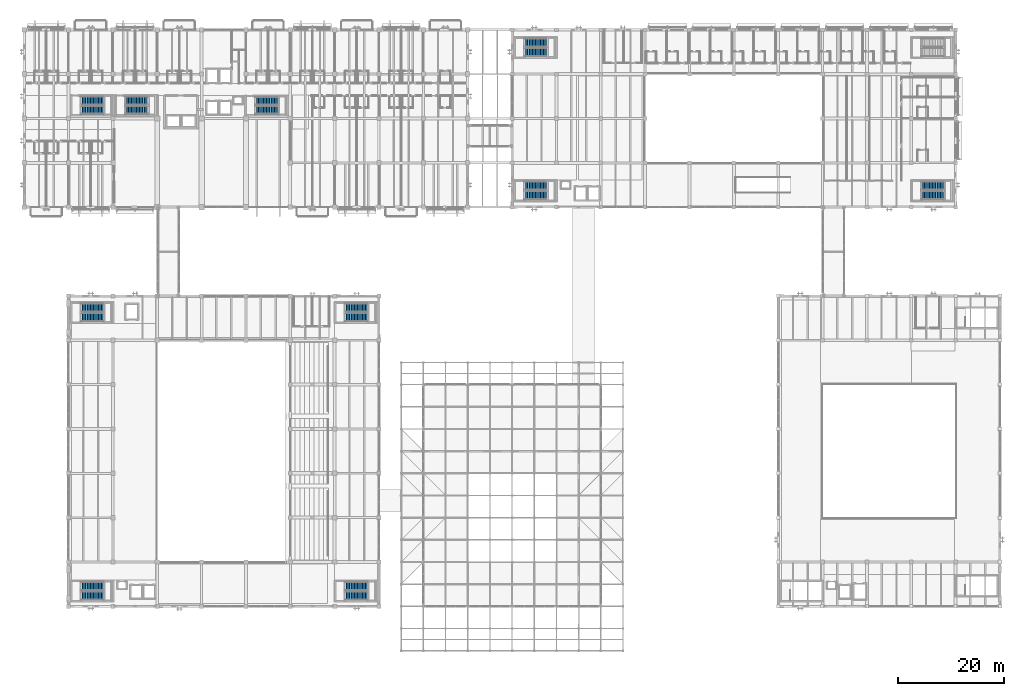
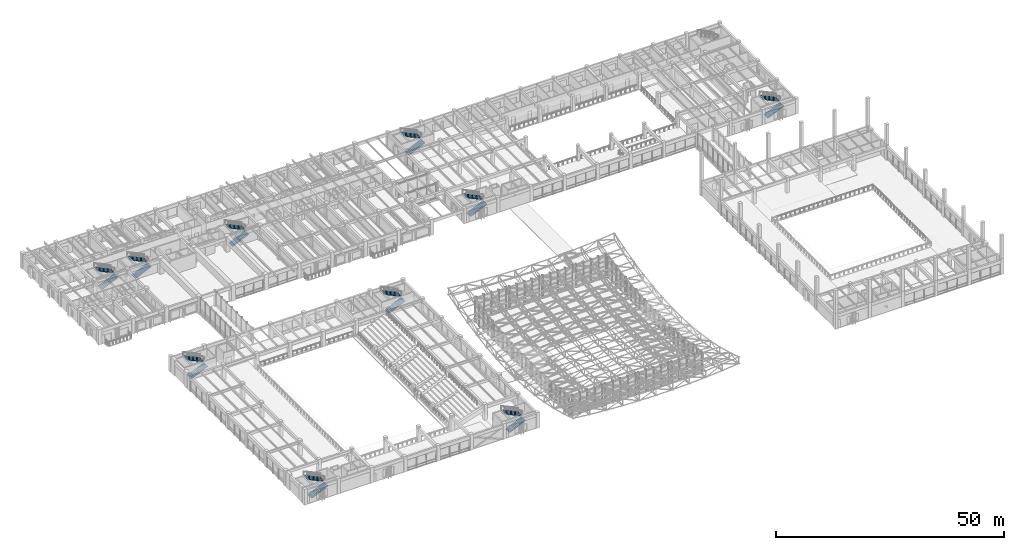
# One storey, part 99 of 132: 20 stair flights, 10 elements without a shape of their own.
"""IFC4 building model written with IfcOpenShell, lengths in metres."""

from ifc_helpers import new_model, si_unit, direction, frame, origin, place, context, subcontext, project, spatial, polyline, outline, extrude, material, type_object, element, aggregate, save


model = new_model("IFC4")

# Units and contexts
model_context = context("Model", 3, precision=1e-05, world=origin(), true_north=direction((0.0, 1.0)))
body_context = subcontext(model_context, "Body", "Model", "MODEL_VIEW")
ifc_project = project(units=[si_unit("LENGTHUNIT", "METRE"), si_unit("AREAUNIT", "SQUARE_METRE"), si_unit("VOLUMEUNIT", "CUBIC_METRE"), si_unit("PLANEANGLEUNIT", "RADIAN"), si_unit("MASSUNIT", "GRAM", prefix="KILO")], contexts=[model_context])

# Site, building, storey
site_placement = place(None, origin())
site = spatial("IfcSite", under=ifc_project, at=site_placement, CompositionType="ELEMENT")
building_placement = place(site_placement, origin())
building = spatial("IfcBuilding", under=site, at=building_placement, Name="Cumbredor Promenade Congress Hotel", CompositionType="ELEMENT")
storey_placement = place(building_placement, frame((0.0, 0.0, 7.56005859375)))
storey = spatial("IfcBuildingStorey", under=building, at=storey_placement, Name="L02", CompositionType="ELEMENT", Elevation=7.56005859375)

# Stair, stair flights
ifc_material = material(Name="Concrete C40/50", Category="concrete")
stair_type_1 = type_object("IfcStairType", Name="Protected Dog-Leg Exit Stair ST-T1 1550mm", PredefinedType="HALF_TURN_STAIR", material=ifc_material)
stair_1_placement = place(storey_placement, origin())
stair_1 = element("IfcStair", 1, at=stair_1_placement, inside=storey, type_object=stair_type_1, Name="L02 Protected Exit Stair ST-03", PredefinedType="HALF_TURN_STAIR")
stair_flight_type_1 = type_object("IfcStairFlightType", Name="Concrete Stair Flight SFL-T1 1550mm", PredefinedType="STRAIGHT", material=ifc_material)
stair_flight_1_placement = place(storey_placement, frame((43.800048828125, 102.39501953125, 0.0), z_axis=(0.0, 0.0, 1.0), x_axis=(1.0, 0.0, 0.0)))
stair_flight_1 = element("IfcStairFlight", 2, at=stair_flight_1_placement, type_object=stair_flight_type_1, Name="ST-03 flight 1", NumberOfRisers=15, NumberOfTreads=14, PredefinedType="STRAIGHT", RiserHeight=0.14, TreadLength=0.3, context=body_context, shape_type="SweptSolid", body=[
    extrude(outline(polyline([(0.0, 0.0), (0.0, 0.139892578125), (0.300048828125, 0.139892578125), (0.300048828125, 0.280029296875), (0.60009765625, 0.280029296875), (0.60009765625, 0.419921875), (0.89990234375, 0.419921875), (0.89990234375, 0.56005859375), (1.199951171875, 0.56005859375), (1.199951171875, 0.699951171875), (1.5, 0.699951171875), (1.5, 0.840087890625), (1.800048828125, 0.840087890625), (1.800048828125, 0.97998046875), (2.10009765625, 0.97998046875), (2.10009765625, 1.1201171875), (2.39990234375, 1.1201171875), (2.39990234375, 1.260009765625), (2.699951171875, 1.260009765625), (2.699951171875, 1.39990234375), (3.0, 1.39990234375), (3.0, 1.5400390625), (3.300048828125, 1.5400390625), (3.300048828125, 1.679931640625), (3.60009765625, 1.679931640625), (3.60009765625, 1.820068359375), (3.89990234375, 1.820068359375), (3.89990234375, 1.9599609375), (4.199951171875, 1.9599609375), (4.199951171875, 2.10009765625), (4.199951171875, 1.761474609375), (0.425537109375, 0.0), (0.0, 0.0)])), frame((0.0, 0.77490234375, 0.0), z_axis=(0.0, -1.0, 0.0), x_axis=(1.0, 0.0, 0.0)), (0.0, 0.0, 1.0), 1.550048828125),
])
stair_flight_2_placement = place(storey_placement, frame((48.0, 104.094970703125, 2.099853515625), z_axis=(0.0, 0.0, 1.0), x_axis=(-1.0, 0.0, 0.0)))
stair_flight_2 = element("IfcStairFlight", 3, at=stair_flight_2_placement, type_object=stair_flight_type_1, Name="ST-03 flight 2", NumberOfRisers=15, NumberOfTreads=14, PredefinedType="STRAIGHT", RiserHeight=0.14, TreadLength=0.3, context=body_context, shape_type="SweptSolid", body=[
    extrude(outline(polyline([(0.0, 0.0), (0.0, 0.139892578125), (0.300048828125, 0.139892578125), (0.300048828125, 0.280029296875), (0.60009765625, 0.280029296875), (0.60009765625, 0.419921875), (0.89990234375, 0.419921875), (0.89990234375, 0.56005859375), (1.199951171875, 0.56005859375), (1.199951171875, 0.699951171875), (1.5, 0.699951171875), (1.5, 0.840087890625), (1.800048828125, 0.840087890625), (1.800048828125, 0.97998046875), (2.10009765625, 0.97998046875), (2.10009765625, 1.1201171875), (2.39990234375, 1.1201171875), (2.39990234375, 1.260009765625), (2.699951171875, 1.260009765625), (2.699951171875, 1.39990234375), (3.0, 1.39990234375), (3.0, 1.5400390625), (3.300048828125, 1.5400390625), (3.300048828125, 1.679931640625), (3.60009765625, 1.679931640625), (3.60009765625, 1.820068359375), (3.89990234375, 1.820068359375), (3.89990234375, 1.9599609375), (4.199951171875, 1.9599609375), (4.199951171875, 2.10009765625), (4.199951171875, 1.761474609375), (0.425537109375, 0.0), (0.0, 0.0)])), frame((0.0, 0.77490234375, 0.0), z_axis=(0.0, -1.0, 0.0), x_axis=(1.0, 0.0, 0.0)), (0.0, 0.0, 1.0), 1.550048828125),
])
aggregate(stair_1, [stair_flight_1, stair_flight_2])

stair_type_2 = type_object("IfcStairType", Name="Protected Dog-Leg Exit Stair ST-T2 1600mm", PredefinedType="HALF_TURN_STAIR", material=ifc_material)
stair_2_placement = place(storey_placement, origin())
stair_2 = element("IfcStair", 4, at=stair_2_placement, inside=storey, type_object=stair_type_2, Name="L02 Protected Exit Stair ST-01", PredefinedType="HALF_TURN_STAIR")
stair_flight_type_2 = type_object("IfcStairFlightType", Name="Concrete Stair Flight SFL-T2 1600mm", PredefinedType="STRAIGHT", material=ifc_material)
stair_flight_3_placement = place(storey_placement, frame((10.75, 102.419921875, 0.0), z_axis=(0.0, 0.0, 1.0), x_axis=(1.0, 0.0, 0.0)))
stair_flight_3 = element("IfcStairFlight", 5, at=stair_flight_3_placement, type_object=stair_flight_type_2, Name="ST-01 flight 1", NumberOfRisers=15, NumberOfTreads=14, PredefinedType="STRAIGHT", RiserHeight=0.14, TreadLength=0.3, context=body_context, shape_type="SweptSolid", body=[
    extrude(outline(polyline([(0.0, 0.0), (0.0, 0.139892578125), (0.300048828125, 0.139892578125), (0.300048828125, 0.280029296875), (0.60009765625, 0.280029296875), (0.60009765625, 0.419921875), (0.89990234375, 0.419921875), (0.89990234375, 0.56005859375), (1.199951171875, 0.56005859375), (1.199951171875, 0.699951171875), (1.5, 0.699951171875), (1.5, 0.840087890625), (1.800048828125, 0.840087890625), (1.800048828125, 0.97998046875), (2.10009765625, 0.97998046875), (2.10009765625, 1.1201171875), (2.39990234375, 1.1201171875), (2.39990234375, 1.260009765625), (2.699951171875, 1.260009765625), (2.699951171875, 1.39990234375), (3.0, 1.39990234375), (3.0, 1.5400390625), (3.300048828125, 1.5400390625), (3.300048828125, 1.679931640625), (3.60009765625, 1.679931640625), (3.60009765625, 1.820068359375), (3.89990234375, 1.820068359375), (3.89990234375, 1.9599609375), (4.199951171875, 1.9599609375), (4.199951171875, 2.10009765625), (4.199951171875, 1.761474609375), (0.425537109375, 0.0), (0.0, 0.0)])), frame((0.0, 0.800048828125, 0.0), z_axis=(0.0, -1.0, 0.0), x_axis=(1.0, 0.0, 0.0)), (0.0, 0.0, 1.0), 1.60009765625),
])
stair_flight_4_placement = place(storey_placement, frame((14.949951171875, 104.169921875, 2.099853515625), z_axis=(0.0, 0.0, 1.0), x_axis=(-1.0, 0.0, 0.0)))
stair_flight_4 = element("IfcStairFlight", 6, at=stair_flight_4_placement, type_object=stair_flight_type_2, Name="ST-01 flight 2", NumberOfRisers=15, NumberOfTreads=14, PredefinedType="STRAIGHT", RiserHeight=0.14, TreadLength=0.3, context=body_context, shape_type="SweptSolid", body=[
    extrude(outline(polyline([(0.0, 0.0), (0.0, 0.139892578125), (0.300048828125, 0.139892578125), (0.300048828125, 0.280029296875), (0.60009765625, 0.280029296875), (0.60009765625, 0.419921875), (0.89990234375, 0.419921875), (0.89990234375, 0.56005859375), (1.199951171875, 0.56005859375), (1.199951171875, 0.699951171875), (1.5, 0.699951171875), (1.5, 0.840087890625), (1.800048828125, 0.840087890625), (1.800048828125, 0.97998046875), (2.10009765625, 0.97998046875), (2.10009765625, 1.1201171875), (2.39990234375, 1.1201171875), (2.39990234375, 1.260009765625), (2.699951171875, 1.260009765625), (2.699951171875, 1.39990234375), (3.0, 1.39990234375), (3.0, 1.5400390625), (3.300048828125, 1.5400390625), (3.300048828125, 1.679931640625), (3.60009765625, 1.679931640625), (3.60009765625, 1.820068359375), (3.89990234375, 1.820068359375), (3.89990234375, 1.9599609375), (4.199951171875, 1.9599609375), (4.199951171875, 2.10009765625), (4.199951171875, 1.761474609375), (0.425537109375, 0.0), (0.0, 0.0)])), frame((0.0, 0.800048828125, 0.0), z_axis=(0.0, -1.0, 0.0), x_axis=(1.0, 0.0, 0.0)), (0.0, 0.0, 1.0), 1.60009765625),
])
aggregate(stair_2, [stair_flight_3, stair_flight_4])

stair_3_placement = place(storey_placement, origin())
stair_3 = element("IfcStair", 7, at=stair_3_placement, inside=storey, type_object=stair_type_2, Name="L02 Protected Exit Stair ST-02", PredefinedType="HALF_TURN_STAIR")
stair_flight_5_placement = place(storey_placement, frame((19.14990234375, 102.419921875, 0.0), z_axis=(0.0, 0.0, 1.0), x_axis=(1.0, 0.0, 0.0)))
stair_flight_5 = element("IfcStairFlight", 8, at=stair_flight_5_placement, type_object=stair_flight_type_2, Name="ST-02 flight 1", NumberOfRisers=15, NumberOfTreads=14, PredefinedType="STRAIGHT", RiserHeight=0.14, TreadLength=0.3, context=body_context, shape_type="SweptSolid", body=[
    extrude(outline(polyline([(0.0, 0.0), (0.0, 0.139892578125), (0.300048828125, 0.139892578125), (0.300048828125, 0.280029296875), (0.60009765625, 0.280029296875), (0.60009765625, 0.419921875), (0.89990234375, 0.419921875), (0.89990234375, 0.56005859375), (1.199951171875, 0.56005859375), (1.199951171875, 0.699951171875), (1.5, 0.699951171875), (1.5, 0.840087890625), (1.800048828125, 0.840087890625), (1.800048828125, 0.97998046875), (2.10009765625, 0.97998046875), (2.10009765625, 1.1201171875), (2.39990234375, 1.1201171875), (2.39990234375, 1.260009765625), (2.699951171875, 1.260009765625), (2.699951171875, 1.39990234375), (3.0, 1.39990234375), (3.0, 1.5400390625), (3.300048828125, 1.5400390625), (3.300048828125, 1.679931640625), (3.60009765625, 1.679931640625), (3.60009765625, 1.820068359375), (3.89990234375, 1.820068359375), (3.89990234375, 1.9599609375), (4.199951171875, 1.9599609375), (4.199951171875, 2.10009765625), (4.199951171875, 1.761474609375), (0.425537109375, 0.0), (0.0, 0.0)])), frame((0.0, 0.800048828125, 0.0), z_axis=(0.0, -1.0, 0.0), x_axis=(1.0, 0.0, 0.0)), (0.0, 0.0, 1.0), 1.60009765625),
])
stair_flight_6_placement = place(storey_placement, frame((23.35009765625, 104.169921875, 2.099853515625), z_axis=(0.0, 0.0, 1.0), x_axis=(-1.0, 0.0, 0.0)))
stair_flight_6 = element("IfcStairFlight", 9, at=stair_flight_6_placement, type_object=stair_flight_type_2, Name="ST-02 flight 2", NumberOfRisers=15, NumberOfTreads=14, PredefinedType="STRAIGHT", RiserHeight=0.14, TreadLength=0.3, context=body_context, shape_type="SweptSolid", body=[
    extrude(outline(polyline([(0.0, 0.0), (0.0, 0.139892578125), (0.300048828125, 0.139892578125), (0.300048828125, 0.280029296875), (0.60009765625, 0.280029296875), (0.60009765625, 0.419921875), (0.89990234375, 0.419921875), (0.89990234375, 0.56005859375), (1.199951171875, 0.56005859375), (1.199951171875, 0.699951171875), (1.5, 0.699951171875), (1.5, 0.840087890625), (1.800048828125, 0.840087890625), (1.800048828125, 0.97998046875), (2.10009765625, 0.97998046875), (2.10009765625, 1.1201171875), (2.39990234375, 1.1201171875), (2.39990234375, 1.260009765625), (2.699951171875, 1.260009765625), (2.699951171875, 1.39990234375), (3.0, 1.39990234375), (3.0, 1.5400390625), (3.300048828125, 1.5400390625), (3.300048828125, 1.679931640625), (3.60009765625, 1.679931640625), (3.60009765625, 1.820068359375), (3.89990234375, 1.820068359375), (3.89990234375, 1.9599609375), (4.199951171875, 1.9599609375), (4.199951171875, 2.10009765625), (4.199951171875, 1.761474609375), (0.425537109375, 0.0), (0.0, 0.0)])), frame((0.0, 0.800048828125, 0.0), z_axis=(0.0, -1.0, 0.0), x_axis=(1.0, 0.0, 0.0)), (0.0, 0.0, 1.0), 1.60009765625),
])
aggregate(stair_3, [stair_flight_5, stair_flight_6])

stair_type_3 = type_object("IfcStairType", Name="Protected Dog-Leg Exit Stair ST-T3 1650mm", PredefinedType="HALF_TURN_STAIR", material=ifc_material)
stair_4_placement = place(storey_placement, origin())
stair_4 = element("IfcStair", 10, at=stair_4_placement, inside=storey, type_object=stair_type_3, Name="L02 Protected Exit Stair ST-04", PredefinedType="HALF_TURN_STAIR")
stair_flight_type_3 = type_object("IfcStairFlightType", Name="Concrete Stair Flight SFL-T3 1650mm", PredefinedType="STRAIGHT", material=ifc_material)
stair_flight_7_placement = place(storey_placement, frame((10.75, 10.425048828125, 0.0), z_axis=(0.0, 0.0, 1.0), x_axis=(1.0, 0.0, 0.0)))
stair_flight_7 = element("IfcStairFlight", 11, at=stair_flight_7_placement, type_object=stair_flight_type_3, Name="ST-04 flight 1", NumberOfRisers=15, NumberOfTreads=14, PredefinedType="STRAIGHT", RiserHeight=0.14, TreadLength=0.3, context=body_context, shape_type="SweptSolid", body=[
    extrude(outline(polyline([(0.0, 0.0), (0.0, 0.139892578125), (0.300048828125, 0.139892578125), (0.300048828125, 0.280029296875), (0.60009765625, 0.280029296875), (0.60009765625, 0.419921875), (0.89990234375, 0.419921875), (0.89990234375, 0.56005859375), (1.199951171875, 0.56005859375), (1.199951171875, 0.699951171875), (1.5, 0.699951171875), (1.5, 0.840087890625), (1.800048828125, 0.840087890625), (1.800048828125, 0.97998046875), (2.10009765625, 0.97998046875), (2.10009765625, 1.1201171875), (2.39990234375, 1.1201171875), (2.39990234375, 1.260009765625), (2.699951171875, 1.260009765625), (2.699951171875, 1.39990234375), (3.0, 1.39990234375), (3.0, 1.5400390625), (3.300048828125, 1.5400390625), (3.300048828125, 1.679931640625), (3.60009765625, 1.679931640625), (3.60009765625, 1.820068359375), (3.89990234375, 1.820068359375), (3.89990234375, 1.9599609375), (4.199951171875, 1.9599609375), (4.199951171875, 2.10009765625), (4.199951171875, 1.761474609375), (0.425537109375, 0.0), (0.0, 0.0)])), frame((0.0, 0.824951171875, 0.0), z_axis=(0.0, -1.0, 0.0), x_axis=(1.0, 0.0, 0.0)), (0.0, 0.0, 1.0), 1.64990234375),
])
stair_flight_8_placement = place(storey_placement, frame((14.949951171875, 12.22509765625, 2.099853515625), z_axis=(0.0, 0.0, 1.0), x_axis=(-1.0, 0.0, 0.0)))
stair_flight_8 = element("IfcStairFlight", 12, at=stair_flight_8_placement, type_object=stair_flight_type_3, Name="ST-04 flight 2", NumberOfRisers=15, NumberOfTreads=14, PredefinedType="STRAIGHT", RiserHeight=0.14, TreadLength=0.3, context=body_context, shape_type="SweptSolid", body=[
    extrude(outline(polyline([(0.0, 0.0), (0.0, 0.139892578125), (0.300048828125, 0.139892578125), (0.300048828125, 0.280029296875), (0.60009765625, 0.280029296875), (0.60009765625, 0.419921875), (0.89990234375, 0.419921875), (0.89990234375, 0.56005859375), (1.199951171875, 0.56005859375), (1.199951171875, 0.699951171875), (1.5, 0.699951171875), (1.5, 0.840087890625), (1.800048828125, 0.840087890625), (1.800048828125, 0.97998046875), (2.10009765625, 0.97998046875), (2.10009765625, 1.1201171875), (2.39990234375, 1.1201171875), (2.39990234375, 1.260009765625), (2.699951171875, 1.260009765625), (2.699951171875, 1.39990234375), (3.0, 1.39990234375), (3.0, 1.5400390625), (3.300048828125, 1.5400390625), (3.300048828125, 1.679931640625), (3.60009765625, 1.679931640625), (3.60009765625, 1.820068359375), (3.89990234375, 1.820068359375), (3.89990234375, 1.9599609375), (4.199951171875, 1.9599609375), (4.199951171875, 2.10009765625), (4.199951171875, 1.761474609375), (0.425537109375, 0.0), (0.0, 0.0)])), frame((0.0, 0.824951171875, 0.0), z_axis=(0.0, -1.0, 0.0), x_axis=(1.0, 0.0, 0.0)), (0.0, 0.0, 1.0), 1.64990234375),
])
aggregate(stair_4, [stair_flight_7, stair_flight_8])

stair_5_placement = place(storey_placement, origin())
stair_5 = element("IfcStair", 13, at=stair_5_placement, inside=storey, type_object=stair_type_3, Name="L02 Protected Exit Stair ST-05", PredefinedType="HALF_TURN_STAIR")
stair_flight_9_placement = place(storey_placement, frame((60.75, 10.425048828125, 0.0), z_axis=(0.0, 0.0, 1.0), x_axis=(1.0, 0.0, 0.0)))
stair_flight_9 = element("IfcStairFlight", 14, at=stair_flight_9_placement, type_object=stair_flight_type_3, Name="ST-05 flight 1", NumberOfRisers=15, NumberOfTreads=14, PredefinedType="STRAIGHT", RiserHeight=0.14, TreadLength=0.3, context=body_context, shape_type="SweptSolid", body=[
    extrude(outline(polyline([(0.0, 0.0), (0.0, 0.139892578125), (0.300048828125, 0.139892578125), (0.300048828125, 0.280029296875), (0.60009765625, 0.280029296875), (0.60009765625, 0.419921875), (0.89990234375, 0.419921875), (0.89990234375, 0.56005859375), (1.199951171875, 0.56005859375), (1.199951171875, 0.699951171875), (1.5, 0.699951171875), (1.5, 0.840087890625), (1.800048828125, 0.840087890625), (1.800048828125, 0.97998046875), (2.10009765625, 0.97998046875), (2.10009765625, 1.1201171875), (2.39990234375, 1.1201171875), (2.39990234375, 1.260009765625), (2.699951171875, 1.260009765625), (2.699951171875, 1.39990234375), (3.0, 1.39990234375), (3.0, 1.5400390625), (3.300048828125, 1.5400390625), (3.300048828125, 1.679931640625), (3.60009765625, 1.679931640625), (3.60009765625, 1.820068359375), (3.89990234375, 1.820068359375), (3.89990234375, 1.9599609375), (4.199951171875, 1.9599609375), (4.199951171875, 2.10009765625), (4.199951171875, 1.761474609375), (0.425537109375, 0.0), (0.0, 0.0)])), frame((0.0, 0.824951171875, 0.0), z_axis=(0.0, -1.0, 0.0), x_axis=(1.0, 0.0, 0.0)), (0.0, 0.0, 1.0), 1.64990234375),
])
stair_flight_10_placement = place(storey_placement, frame((64.949951171875, 12.22509765625, 2.099853515625), z_axis=(0.0, 0.0, 1.0), x_axis=(-1.0, 0.0, 0.0)))
stair_flight_10 = element("IfcStairFlight", 15, at=stair_flight_10_placement, type_object=stair_flight_type_3, Name="ST-05 flight 2", NumberOfRisers=15, NumberOfTreads=14, PredefinedType="STRAIGHT", RiserHeight=0.14, TreadLength=0.3, context=body_context, shape_type="SweptSolid", body=[
    extrude(outline(polyline([(0.0, 0.0), (0.0, 0.139892578125), (0.300048828125, 0.139892578125), (0.300048828125, 0.280029296875), (0.60009765625, 0.280029296875), (0.60009765625, 0.419921875), (0.89990234375, 0.419921875), (0.89990234375, 0.56005859375), (1.199951171875, 0.56005859375), (1.199951171875, 0.699951171875), (1.5, 0.699951171875), (1.5, 0.840087890625), (1.800048828125, 0.840087890625), (1.800048828125, 0.97998046875), (2.10009765625, 0.97998046875), (2.10009765625, 1.1201171875), (2.39990234375, 1.1201171875), (2.39990234375, 1.260009765625), (2.699951171875, 1.260009765625), (2.699951171875, 1.39990234375), (3.0, 1.39990234375), (3.0, 1.5400390625), (3.300048828125, 1.5400390625), (3.300048828125, 1.679931640625), (3.60009765625, 1.679931640625), (3.60009765625, 1.820068359375), (3.89990234375, 1.820068359375), (3.89990234375, 1.9599609375), (4.199951171875, 1.9599609375), (4.199951171875, 2.10009765625), (4.199951171875, 1.761474609375), (0.425537109375, 0.0), (0.0, 0.0)])), frame((0.0, 0.824951171875, 0.0), z_axis=(0.0, -1.0, 0.0), x_axis=(1.0, 0.0, 0.0)), (0.0, 0.0, 1.0), 1.64990234375),
])
aggregate(stair_5, [stair_flight_9, stair_flight_10])

stair_6_placement = place(storey_placement, origin())
stair_6 = element("IfcStair", 16, at=stair_6_placement, inside=storey, type_object=stair_type_3, Name="L02 Protected Exit Stair ST-06", PredefinedType="HALF_TURN_STAIR")
stair_flight_11_placement = place(storey_placement, frame((10.75, 63.175048828125, 0.0), z_axis=(0.0, 0.0, 1.0), x_axis=(1.0, 0.0, 0.0)))
stair_flight_11 = element("IfcStairFlight", 17, at=stair_flight_11_placement, type_object=stair_flight_type_3, Name="ST-06 flight 1", NumberOfRisers=15, NumberOfTreads=14, PredefinedType="STRAIGHT", RiserHeight=0.14, TreadLength=0.3, context=body_context, shape_type="SweptSolid", body=[
    extrude(outline(polyline([(0.0, 0.0), (0.0, 0.139892578125), (0.300048828125, 0.139892578125), (0.300048828125, 0.280029296875), (0.60009765625, 0.280029296875), (0.60009765625, 0.419921875), (0.89990234375, 0.419921875), (0.89990234375, 0.56005859375), (1.199951171875, 0.56005859375), (1.199951171875, 0.699951171875), (1.5, 0.699951171875), (1.5, 0.840087890625), (1.800048828125, 0.840087890625), (1.800048828125, 0.97998046875), (2.10009765625, 0.97998046875), (2.10009765625, 1.1201171875), (2.39990234375, 1.1201171875), (2.39990234375, 1.260009765625), (2.699951171875, 1.260009765625), (2.699951171875, 1.39990234375), (3.0, 1.39990234375), (3.0, 1.5400390625), (3.300048828125, 1.5400390625), (3.300048828125, 1.679931640625), (3.60009765625, 1.679931640625), (3.60009765625, 1.820068359375), (3.89990234375, 1.820068359375), (3.89990234375, 1.9599609375), (4.199951171875, 1.9599609375), (4.199951171875, 2.10009765625), (4.199951171875, 1.761474609375), (0.425537109375, 0.0), (0.0, 0.0)])), frame((0.0, 0.824951171875, 0.0), z_axis=(0.0, -1.0, 0.0), x_axis=(1.0, 0.0, 0.0)), (0.0, 0.0, 1.0), 1.64990234375),
])
stair_flight_12_placement = place(storey_placement, frame((14.949951171875, 64.97509765625, 2.099853515625), z_axis=(0.0, 0.0, 1.0), x_axis=(-1.0, 0.0, 0.0)))
stair_flight_12 = element("IfcStairFlight", 18, at=stair_flight_12_placement, type_object=stair_flight_type_3, Name="ST-06 flight 2", NumberOfRisers=15, NumberOfTreads=14, PredefinedType="STRAIGHT", RiserHeight=0.14, TreadLength=0.3, context=body_context, shape_type="SweptSolid", body=[
    extrude(outline(polyline([(0.0, 0.0), (0.0, 0.139892578125), (0.300048828125, 0.139892578125), (0.300048828125, 0.280029296875), (0.60009765625, 0.280029296875), (0.60009765625, 0.419921875), (0.89990234375, 0.419921875), (0.89990234375, 0.56005859375), (1.199951171875, 0.56005859375), (1.199951171875, 0.699951171875), (1.5, 0.699951171875), (1.5, 0.840087890625), (1.800048828125, 0.840087890625), (1.800048828125, 0.97998046875), (2.10009765625, 0.97998046875), (2.10009765625, 1.1201171875), (2.39990234375, 1.1201171875), (2.39990234375, 1.260009765625), (2.699951171875, 1.260009765625), (2.699951171875, 1.39990234375), (3.0, 1.39990234375), (3.0, 1.5400390625), (3.300048828125, 1.5400390625), (3.300048828125, 1.679931640625), (3.60009765625, 1.679931640625), (3.60009765625, 1.820068359375), (3.89990234375, 1.820068359375), (3.89990234375, 1.9599609375), (4.199951171875, 1.9599609375), (4.199951171875, 2.10009765625), (4.199951171875, 1.761474609375), (0.425537109375, 0.0), (0.0, 0.0)])), frame((0.0, 0.824951171875, 0.0), z_axis=(0.0, -1.0, 0.0), x_axis=(1.0, 0.0, 0.0)), (0.0, 0.0, 1.0), 1.64990234375),
])
aggregate(stair_6, [stair_flight_11, stair_flight_12])

stair_7_placement = place(storey_placement, origin())
stair_7 = element("IfcStair", 19, at=stair_7_placement, inside=storey, type_object=stair_type_3, Name="L02 Protected Exit Stair ST-07", PredefinedType="HALF_TURN_STAIR")
stair_flight_13_placement = place(storey_placement, frame((60.75, 63.175048828125, 0.0), z_axis=(0.0, 0.0, 1.0), x_axis=(1.0, 0.0, 0.0)))
stair_flight_13 = element("IfcStairFlight", 20, at=stair_flight_13_placement, type_object=stair_flight_type_3, Name="ST-07 flight 1", NumberOfRisers=15, NumberOfTreads=14, PredefinedType="STRAIGHT", RiserHeight=0.14, TreadLength=0.3, context=body_context, shape_type="SweptSolid", body=[
    extrude(outline(polyline([(0.0, 0.0), (0.0, 0.139892578125), (0.300048828125, 0.139892578125), (0.300048828125, 0.280029296875), (0.60009765625, 0.280029296875), (0.60009765625, 0.419921875), (0.89990234375, 0.419921875), (0.89990234375, 0.56005859375), (1.199951171875, 0.56005859375), (1.199951171875, 0.699951171875), (1.5, 0.699951171875), (1.5, 0.840087890625), (1.800048828125, 0.840087890625), (1.800048828125, 0.97998046875), (2.10009765625, 0.97998046875), (2.10009765625, 1.1201171875), (2.39990234375, 1.1201171875), (2.39990234375, 1.260009765625), (2.699951171875, 1.260009765625), (2.699951171875, 1.39990234375), (3.0, 1.39990234375), (3.0, 1.5400390625), (3.300048828125, 1.5400390625), (3.300048828125, 1.679931640625), (3.60009765625, 1.679931640625), (3.60009765625, 1.820068359375), (3.89990234375, 1.820068359375), (3.89990234375, 1.9599609375), (4.199951171875, 1.9599609375), (4.199951171875, 2.10009765625), (4.199951171875, 1.761474609375), (0.425537109375, 0.0), (0.0, 0.0)])), frame((0.0, 0.824951171875, 0.0), z_axis=(0.0, -1.0, 0.0), x_axis=(1.0, 0.0, 0.0)), (0.0, 0.0, 1.0), 1.64990234375),
])
stair_flight_14_placement = place(storey_placement, frame((64.949951171875, 64.97509765625, 2.099853515625), z_axis=(0.0, 0.0, 1.0), x_axis=(-1.0, 0.0, 0.0)))
stair_flight_14 = element("IfcStairFlight", 21, at=stair_flight_14_placement, type_object=stair_flight_type_3, Name="ST-07 flight 2", NumberOfRisers=15, NumberOfTreads=14, PredefinedType="STRAIGHT", RiserHeight=0.14, TreadLength=0.3, context=body_context, shape_type="SweptSolid", body=[
    extrude(outline(polyline([(0.0, 0.0), (0.0, 0.139892578125), (0.300048828125, 0.139892578125), (0.300048828125, 0.280029296875), (0.60009765625, 0.280029296875), (0.60009765625, 0.419921875), (0.89990234375, 0.419921875), (0.89990234375, 0.56005859375), (1.199951171875, 0.56005859375), (1.199951171875, 0.699951171875), (1.5, 0.699951171875), (1.5, 0.840087890625), (1.800048828125, 0.840087890625), (1.800048828125, 0.97998046875), (2.10009765625, 0.97998046875), (2.10009765625, 1.1201171875), (2.39990234375, 1.1201171875), (2.39990234375, 1.260009765625), (2.699951171875, 1.260009765625), (2.699951171875, 1.39990234375), (3.0, 1.39990234375), (3.0, 1.5400390625), (3.300048828125, 1.5400390625), (3.300048828125, 1.679931640625), (3.60009765625, 1.679931640625), (3.60009765625, 1.820068359375), (3.89990234375, 1.820068359375), (3.89990234375, 1.9599609375), (4.199951171875, 1.9599609375), (4.199951171875, 2.10009765625), (4.199951171875, 1.761474609375), (0.425537109375, 0.0), (0.0, 0.0)])), frame((0.0, 0.824951171875, 0.0), z_axis=(0.0, -1.0, 0.0), x_axis=(1.0, 0.0, 0.0)), (0.0, 0.0, 1.0), 1.64990234375),
])
aggregate(stair_7, [stair_flight_13, stair_flight_14])

stair_8_placement = place(storey_placement, origin())
stair_8 = element("IfcStair", 22, at=stair_8_placement, inside=storey, type_object=stair_type_3, Name="L02 Protected Exit Stair ST-13", PredefinedType="HALF_TURN_STAIR")
stair_flight_15_placement = place(storey_placement, frame((94.75, 86.22509765625, 0.0), z_axis=(0.0, 0.0, 1.0), x_axis=(1.0, 0.0, 0.0)))
stair_flight_15 = element("IfcStairFlight", 23, at=stair_flight_15_placement, type_object=stair_flight_type_3, Name="ST-13 flight 1", NumberOfRisers=15, NumberOfTreads=14, PredefinedType="STRAIGHT", RiserHeight=0.14, TreadLength=0.3, context=body_context, shape_type="SweptSolid", body=[
    extrude(outline(polyline([(0.0, 0.0), (0.0, 0.139892578125), (0.300048828125, 0.139892578125), (0.300048828125, 0.280029296875), (0.60009765625, 0.280029296875), (0.60009765625, 0.419921875), (0.89990234375, 0.419921875), (0.89990234375, 0.56005859375), (1.199951171875, 0.56005859375), (1.199951171875, 0.699951171875), (1.5, 0.699951171875), (1.5, 0.840087890625), (1.800048828125, 0.840087890625), (1.800048828125, 0.97998046875), (2.10009765625, 0.97998046875), (2.10009765625, 1.1201171875), (2.39990234375, 1.1201171875), (2.39990234375, 1.260009765625), (2.699951171875, 1.260009765625), (2.699951171875, 1.39990234375), (3.0, 1.39990234375), (3.0, 1.5400390625), (3.300048828125, 1.5400390625), (3.300048828125, 1.679931640625), (3.60009765625, 1.679931640625), (3.60009765625, 1.820068359375), (3.89990234375, 1.820068359375), (3.89990234375, 1.9599609375), (4.199951171875, 1.9599609375), (4.199951171875, 2.10009765625), (4.199951171875, 1.761474609375), (0.425537109375, 0.0), (0.0, 0.0)])), frame((0.0, 0.824951171875, 0.0), z_axis=(0.0, -1.0, 0.0), x_axis=(1.0, 0.0, 0.0)), (0.0, 0.0, 1.0), 1.64990234375),
])
stair_flight_16_placement = place(storey_placement, frame((98.949951171875, 88.02490234375, 2.099853515625), z_axis=(0.0, 0.0, 1.0), x_axis=(-1.0, 0.0, 0.0)))
stair_flight_16 = element("IfcStairFlight", 24, at=stair_flight_16_placement, type_object=stair_flight_type_3, Name="ST-13 flight 2", NumberOfRisers=15, NumberOfTreads=14, PredefinedType="STRAIGHT", RiserHeight=0.14, TreadLength=0.3, context=body_context, shape_type="SweptSolid", body=[
    extrude(outline(polyline([(0.0, 0.0), (0.0, 0.139892578125), (0.300048828125, 0.139892578125), (0.300048828125, 0.280029296875), (0.60009765625, 0.280029296875), (0.60009765625, 0.419921875), (0.89990234375, 0.419921875), (0.89990234375, 0.56005859375), (1.199951171875, 0.56005859375), (1.199951171875, 0.699951171875), (1.5, 0.699951171875), (1.5, 0.840087890625), (1.800048828125, 0.840087890625), (1.800048828125, 0.97998046875), (2.10009765625, 0.97998046875), (2.10009765625, 1.1201171875), (2.39990234375, 1.1201171875), (2.39990234375, 1.260009765625), (2.699951171875, 1.260009765625), (2.699951171875, 1.39990234375), (3.0, 1.39990234375), (3.0, 1.5400390625), (3.300048828125, 1.5400390625), (3.300048828125, 1.679931640625), (3.60009765625, 1.679931640625), (3.60009765625, 1.820068359375), (3.89990234375, 1.820068359375), (3.89990234375, 1.9599609375), (4.199951171875, 1.9599609375), (4.199951171875, 2.10009765625), (4.199951171875, 1.761474609375), (0.425537109375, 0.0), (0.0, 0.0)])), frame((0.0, 0.824951171875, 0.0), z_axis=(0.0, -1.0, 0.0), x_axis=(1.0, 0.0, 0.0)), (0.0, 0.0, 1.0), 1.64990234375),
])
aggregate(stair_8, [stair_flight_15, stair_flight_16])

stair_9_placement = place(storey_placement, origin())
stair_9 = element("IfcStair", 25, at=stair_9_placement, inside=storey, type_object=stair_type_3, Name="L02 Protected Exit Stair ST-14", PredefinedType="HALF_TURN_STAIR")
stair_flight_17_placement = place(storey_placement, frame((169.919921875, 86.22509765625, 0.0), z_axis=(0.0, 0.0, 1.0), x_axis=(1.0, 0.0, 0.0)))
stair_flight_17 = element("IfcStairFlight", 26, at=stair_flight_17_placement, type_object=stair_flight_type_3, Name="ST-14 flight 1", NumberOfRisers=15, NumberOfTreads=14, PredefinedType="STRAIGHT", RiserHeight=0.14, TreadLength=0.3, context=body_context, shape_type="SweptSolid", body=[
    extrude(outline(polyline([(0.0, 0.0), (0.0, 0.139892578125), (0.300048828125, 0.139892578125), (0.300048828125, 0.280029296875), (0.60009765625, 0.280029296875), (0.60009765625, 0.419921875), (0.89990234375, 0.419921875), (0.89990234375, 0.56005859375), (1.199951171875, 0.56005859375), (1.199951171875, 0.699951171875), (1.5, 0.699951171875), (1.5, 0.840087890625), (1.800048828125, 0.840087890625), (1.800048828125, 0.97998046875), (2.10009765625, 0.97998046875), (2.10009765625, 1.1201171875), (2.39990234375, 1.1201171875), (2.39990234375, 1.260009765625), (2.699951171875, 1.260009765625), (2.699951171875, 1.39990234375), (3.0, 1.39990234375), (3.0, 1.5400390625), (3.300048828125, 1.5400390625), (3.300048828125, 1.679931640625), (3.60009765625, 1.679931640625), (3.60009765625, 1.820068359375), (3.89990234375, 1.820068359375), (3.89990234375, 1.9599609375), (4.199951171875, 1.9599609375), (4.199951171875, 2.10009765625), (4.199951171875, 1.761474609375), (0.425537109375, 0.0), (0.0, 0.0)])), frame((0.0, 0.824951171875, 0.0), z_axis=(0.0, -1.0, 0.0), x_axis=(1.0, 0.0, 0.0)), (0.0, 0.0, 1.0), 1.64990234375),
])
stair_flight_18_placement = place(storey_placement, frame((174.1201171875, 88.02490234375, 2.099853515625), z_axis=(0.0, 0.0, 1.0), x_axis=(-1.0, 0.0, 0.0)))
stair_flight_18 = element("IfcStairFlight", 27, at=stair_flight_18_placement, type_object=stair_flight_type_3, Name="ST-14 flight 2", NumberOfRisers=15, NumberOfTreads=14, PredefinedType="STRAIGHT", RiserHeight=0.14, TreadLength=0.3, context=body_context, shape_type="SweptSolid", body=[
    extrude(outline(polyline([(0.0, 0.0), (0.0, 0.139892578125), (0.300048828125, 0.139892578125), (0.300048828125, 0.280029296875), (0.60009765625, 0.280029296875), (0.60009765625, 0.419921875), (0.89990234375, 0.419921875), (0.89990234375, 0.56005859375), (1.199951171875, 0.56005859375), (1.199951171875, 0.699951171875), (1.5, 0.699951171875), (1.5, 0.840087890625), (1.800048828125, 0.840087890625), (1.800048828125, 0.97998046875), (2.10009765625, 0.97998046875), (2.10009765625, 1.1201171875), (2.39990234375, 1.1201171875), (2.39990234375, 1.260009765625), (2.699951171875, 1.260009765625), (2.699951171875, 1.39990234375), (3.0, 1.39990234375), (3.0, 1.5400390625), (3.300048828125, 1.5400390625), (3.300048828125, 1.679931640625), (3.60009765625, 1.679931640625), (3.60009765625, 1.820068359375), (3.89990234375, 1.820068359375), (3.89990234375, 1.9599609375), (4.199951171875, 1.9599609375), (4.199951171875, 2.10009765625), (4.199951171875, 1.761474609375), (0.425537109375, 0.0), (0.0, 0.0)])), frame((0.0, 0.824951171875, 0.0), z_axis=(0.0, -1.0, 0.0), x_axis=(1.0, 0.0, 0.0)), (0.0, 0.0, 1.0), 1.64990234375),
])
aggregate(stair_9, [stair_flight_17, stair_flight_18])

stair_10_placement = place(storey_placement, origin())
stair_10 = element("IfcStair", 28, at=stair_10_placement, inside=storey, type_object=stair_type_3, Name="L02 Protected Exit Stair ST-15", PredefinedType="HALF_TURN_STAIR")
stair_flight_19_placement = place(storey_placement, frame((94.75, 113.375, 0.0), z_axis=(0.0, 0.0, 1.0), x_axis=(1.0, 0.0, 0.0)))
stair_flight_19 = element("IfcStairFlight", 29, at=stair_flight_19_placement, type_object=stair_flight_type_3, Name="ST-15 flight 1", NumberOfRisers=15, NumberOfTreads=14, PredefinedType="STRAIGHT", RiserHeight=0.14, TreadLength=0.3, context=body_context, shape_type="SweptSolid", body=[
    extrude(outline(polyline([(0.0, 0.0), (0.0, 0.139892578125), (0.300048828125, 0.139892578125), (0.300048828125, 0.280029296875), (0.60009765625, 0.280029296875), (0.60009765625, 0.419921875), (0.89990234375, 0.419921875), (0.89990234375, 0.56005859375), (1.199951171875, 0.56005859375), (1.199951171875, 0.699951171875), (1.5, 0.699951171875), (1.5, 0.840087890625), (1.800048828125, 0.840087890625), (1.800048828125, 0.97998046875), (2.10009765625, 0.97998046875), (2.10009765625, 1.1201171875), (2.39990234375, 1.1201171875), (2.39990234375, 1.260009765625), (2.699951171875, 1.260009765625), (2.699951171875, 1.39990234375), (3.0, 1.39990234375), (3.0, 1.5400390625), (3.300048828125, 1.5400390625), (3.300048828125, 1.679931640625), (3.60009765625, 1.679931640625), (3.60009765625, 1.820068359375), (3.89990234375, 1.820068359375), (3.89990234375, 1.9599609375), (4.199951171875, 1.9599609375), (4.199951171875, 2.10009765625), (4.199951171875, 1.761474609375), (0.425537109375, 0.0), (0.0, 0.0)])), frame((0.0, 0.824951171875, 0.0), z_axis=(0.0, -1.0, 0.0), x_axis=(1.0, 0.0, 0.0)), (0.0, 0.0, 1.0), 1.64990234375),
])
stair_flight_20_placement = place(storey_placement, frame((98.949951171875, 115.175048828125, 2.099853515625), z_axis=(0.0, 0.0, 1.0), x_axis=(-1.0, 0.0, 0.0)))
stair_flight_20 = element("IfcStairFlight", 30, at=stair_flight_20_placement, type_object=stair_flight_type_3, Name="ST-15 flight 2", NumberOfRisers=15, NumberOfTreads=14, PredefinedType="STRAIGHT", RiserHeight=0.14, TreadLength=0.3, context=body_context, shape_type="SweptSolid", body=[
    extrude(outline(polyline([(0.0, 0.0), (0.0, 0.139892578125), (0.300048828125, 0.139892578125), (0.300048828125, 0.280029296875), (0.60009765625, 0.280029296875), (0.60009765625, 0.419921875), (0.89990234375, 0.419921875), (0.89990234375, 0.56005859375), (1.199951171875, 0.56005859375), (1.199951171875, 0.699951171875), (1.5, 0.699951171875), (1.5, 0.840087890625), (1.800048828125, 0.840087890625), (1.800048828125, 0.97998046875), (2.10009765625, 0.97998046875), (2.10009765625, 1.1201171875), (2.39990234375, 1.1201171875), (2.39990234375, 1.260009765625), (2.699951171875, 1.260009765625), (2.699951171875, 1.39990234375), (3.0, 1.39990234375), (3.0, 1.5400390625), (3.300048828125, 1.5400390625), (3.300048828125, 1.679931640625), (3.60009765625, 1.679931640625), (3.60009765625, 1.820068359375), (3.89990234375, 1.820068359375), (3.89990234375, 1.9599609375), (4.199951171875, 1.9599609375), (4.199951171875, 2.10009765625), (4.199951171875, 1.761474609375), (0.425537109375, 0.0), (0.0, 0.0)])), frame((0.0, 0.824951171875, 0.0), z_axis=(0.0, -1.0, 0.0), x_axis=(1.0, 0.0, 0.0)), (0.0, 0.0, 1.0), 1.64990234375),
])
aggregate(stair_10, [stair_flight_19, stair_flight_20])

save(model, "model.ifc")
